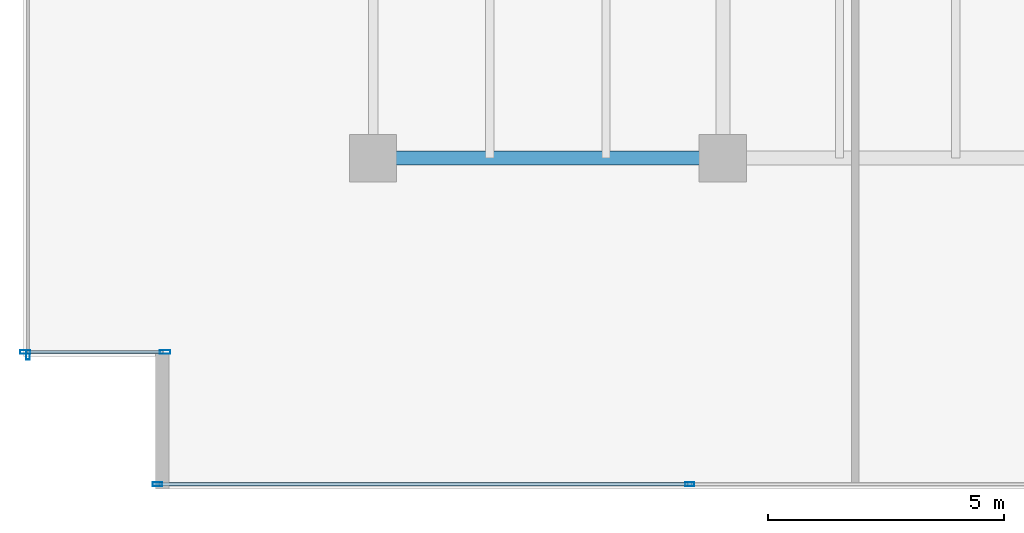
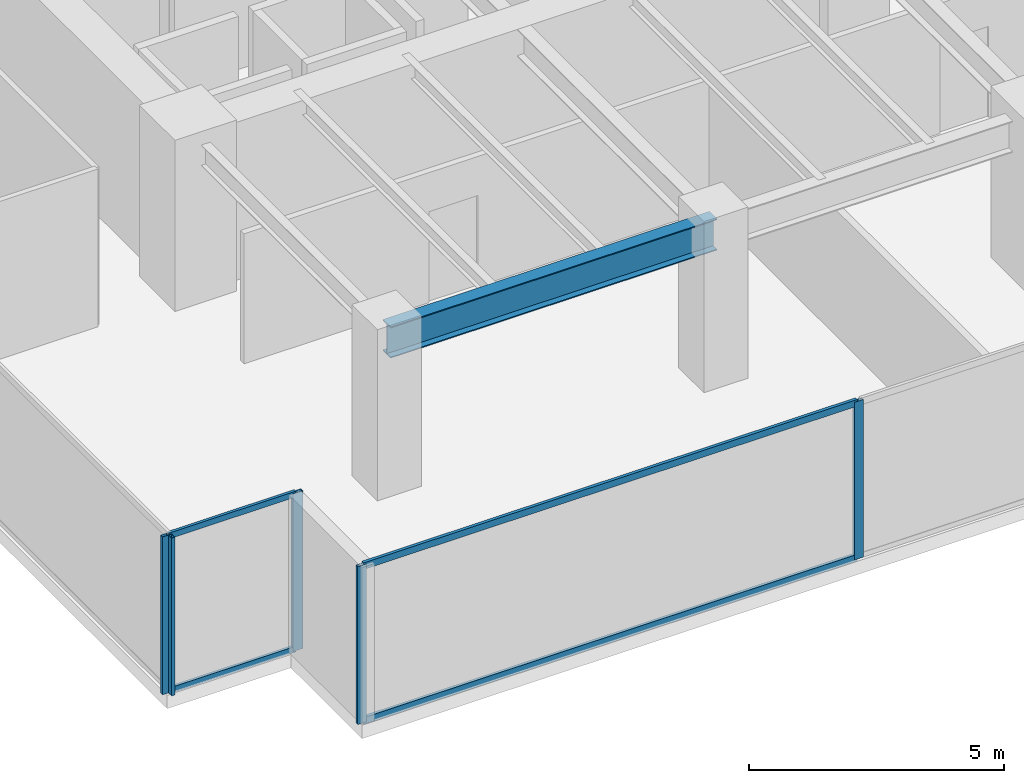
# One storey, part 2 of 35: 9 members, 1 beam, 3 elements without a shape of their own.
"""IFC4 building model written with IfcOpenShell, lengths in metres."""

from ifc_helpers import new_model, si_unit, direction, frame, origin, origin_2d, place, context, subcontext, project, spatial, hollow_rectangle, i_section, extrude, source, transform, mapped, material, layer, layer_set, material_profile, profile_set, type_object, type_shapes, element, aggregate, save


model = new_model("IFC4")

# Units and contexts
model_context = context("Model", 3, precision=1e-05, world=origin(), true_north=direction((0.0, 1.0)))
body_context = subcontext(model_context, "Body", "Model", "MODEL_VIEW")
ifc_project = project(units=[si_unit("LENGTHUNIT", "METRE"), si_unit("AREAUNIT", "SQUARE_METRE"), si_unit("VOLUMEUNIT", "CUBIC_METRE"), si_unit("PLANEANGLEUNIT", "RADIAN"), si_unit("MASSUNIT", "GRAM", prefix="KILO")], contexts=[model_context])

# Site, building, storey
site_placement = place(None, origin())
site = spatial("IfcSite", under=ifc_project, at=site_placement, CompositionType="ELEMENT")
building_placement = place(site_placement, origin())
building = spatial("IfcBuilding", under=site, at=building_placement, Name="Haelvirn Gate Laboratories", CompositionType="ELEMENT")
storey_placement = place(building_placement, frame((0.0, 0.0, 86.699951171875)))
storey = spatial("IfcBuildingStorey", under=building, at=storey_placement, Name="L21", CompositionType="ELEMENT", Elevation=86.699951171875)

# Beam
ifc_material_1 = material(Name="Steel SM355", Category="steel")
ifc_material_profile_1 = material_profile(ifc_material_1, i_section(OverallWidth=0.300048828125, OverallDepth=0.75, WebThickness=0.013916015625, FlangeThickness=0.02392578125, at=origin_2d()), Name="H-750x300x14x24")
ifc_profile_set_1 = profile_set([ifc_material_profile_1], Name="Steel SM355")
beam_type = type_object("IfcBeamType", Name="BM-G-750", PredefinedType="BEAM", material=ifc_profile_set_1)
shared_shape_1 = source(origin(), body_context, "Body", "SweptSolid", [
    extrude(i_section(OverallWidth=0.300048828125, OverallDepth=0.75, WebThickness=0.013916015625, FlangeThickness=0.02392578125, at=origin_2d()), origin(), (0.0, 0.0, 1.0), 7.400146484375),
])
type_shapes(beam_type, [shared_shape_1])
beam_placement = place(storey_placement, frame((7.39990234375, 7.0, 3.405029296875), z_axis=(1.0, 0.0, 0.0), x_axis=(0.0, 1.0, 0.0)))
element("IfcBeam", 1, at=beam_placement, inside=storey, type_object=beam_type, Name="L21 Primary Girder Y7.0 (7.4-14.8)", PredefinedType="BEAM", context=body_context, shape_type="MappedRepresentation", body=[
    mapped(shared_shape_1, transform((0.0, 0.0, 0.0), scale=1.0)),
])

# Curtain wall, members
ifc_material_2 = material(Name="Anodised bronze unitised aluminium & triple low-E glass", Category="aluminium")
ifc_layer_1 = layer(ifc_material_2, 0.18408203125, Name="CW-SYS-2")
ifc_layer_set_1 = layer_set([ifc_layer_1], Name="Anodised bronze unitised aluminium & triple low-E glass")
curtain_wall_type_1 = type_object("IfcCurtainWallType", Name="CW-SYS-2", PredefinedType="NOTDEFINED", material=ifc_layer_set_1)
curtain_wall_1_placement = place(storey_placement, origin())
curtain_wall_1 = element("IfcCurtainWall", 2, at=curtain_wall_1_placement, inside=storey, type_object=curtain_wall_type_1, Name="L21 Unitised Curtain Wall CW-L21-P0-E00-1", PredefinedType="NOTDEFINED")
ifc_material_3 = material(Name="Extruded aluminium 6063-T6 (anodised bronze)", Category="aluminium")
ifc_material_profile_2 = material_profile(ifc_material_3, hollow_rectangle(XDim=0.074951171875, YDim=0.199951171875, WallThickness=0.0048828125, at=origin_2d()), Name="CWM-200x75x5")
ifc_profile_set_2 = profile_set([ifc_material_profile_2], Name="Extruded aluminium 6063-T6 (anodised bronze)")
member_type_1 = type_object("IfcMemberType", Name="CWM-T200", PredefinedType="MULLION", material=ifc_profile_set_2)
shared_shape_2 = source(origin(), body_context, "Body", "SweptSolid", [
    extrude(hollow_rectangle(XDim=0.074951171875, YDim=0.199951171875, WallThickness=0.0048828125, at=origin_2d()), origin(), (0.0, 0.0, 1.0), 3.780029296875),
])
type_shapes(member_type_1, [shared_shape_2])
member_1_placement = place(storey_placement, frame((2.83740234375, 0.10009765625, 0.0), z_axis=(0.0, 0.0, 1.0), x_axis=(0.0, 1.0, 0.0)))
member_1 = element("IfcMember", 3, at=member_1_placement, type_object=member_type_1, Name="CW2 mullion 1", PredefinedType="MULLION", context=body_context, shape_type="MappedRepresentation", body=[
    mapped(shared_shape_2, transform((0.0, 0.0, 0.0), scale=1.0)),
])
member_2_placement = place(storey_placement, frame((14.10009765625, 0.10009765625, 0.0), z_axis=(0.0, 0.0, 1.0), x_axis=(0.0, 1.0, 0.0)))
member_2 = element("IfcMember", 4, at=member_2_placement, type_object=member_type_1, Name="CW2 mullion 2", PredefinedType="MULLION", context=body_context, shape_type="MappedRepresentation", body=[
    mapped(shared_shape_2, transform((0.0, 0.0, 0.0), scale=1.0)),
])

# Curtain wall, member
curtain_wall_2_placement = place(storey_placement, origin())
curtain_wall_2 = element("IfcCurtainWall", 5, at=curtain_wall_2_placement, inside=storey, type_object=curtain_wall_type_1, Name="L21 Unitised Curtain Wall CW-L21-P0-E17", PredefinedType="NOTDEFINED")
member_3_placement = place(storey_placement, frame((0.10009765625, 2.83740234375, 0.0), z_axis=(0.0, 0.0, 1.0), x_axis=(1.0, 0.0, 0.0)))
member_3 = element("IfcMember", 6, at=member_3_placement, type_object=member_type_1, Name="CW2 mullion 4", PredefinedType="MULLION", context=body_context, shape_type="MappedRepresentation", body=[
    mapped(shared_shape_2, transform((0.0, 0.0, 0.0), scale=1.0)),
])
aggregate(curtain_wall_2, [member_3])

# Member
ifc_material_profile_3 = material_profile(ifc_material_3, hollow_rectangle(XDim=0.070068359375, YDim=0.159912109375, WallThickness=0.0048828125, at=origin_2d()), Name="CWT-160x70x5")
ifc_profile_set_3 = profile_set([ifc_material_profile_3], Name="Extruded aluminium 6063-T6 (anodised bronze)")
member_type_2 = type_object("IfcMemberType", Name="CWT-T160", PredefinedType="USERDEFINED", material=ifc_profile_set_3)
shared_shape_3 = source(origin(), body_context, "Body", "SweptSolid", [
    extrude(hollow_rectangle(XDim=0.070068359375, YDim=0.159912109375, WallThickness=0.0048828125, at=origin_2d()), origin(), (0.0, 0.0, 1.0), 11.1875),
])
type_shapes(member_type_2, [shared_shape_3])
member_4_placement = place(storey_placement, frame((2.875, 0.10009765625, 0.03515625), z_axis=(1.0, 0.0, 0.0), x_axis=(0.0, 1.0, 0.0)))
member_4 = element("IfcMember", 7, at=member_4_placement, type_object=member_type_2, Name="CW2 transom 1.1", ObjectType="TRANSOM", PredefinedType="USERDEFINED", context=body_context, shape_type="MappedRepresentation", body=[
    mapped(shared_shape_3, transform((0.0, 0.0, 0.0), scale=1.0)),
])

member_5_placement = place(storey_placement, frame((2.875, 0.10009765625, 3.7451171875), z_axis=(1.0, 0.0, 0.0), x_axis=(0.0, 1.0, 0.0)))
member_5 = element("IfcMember", 8, at=member_5_placement, type_object=member_type_2, Name="CW2 transom 1.2", ObjectType="TRANSOM", PredefinedType="USERDEFINED", context=body_context, shape_type="MappedRepresentation", body=[
    mapped(shared_shape_3, transform((0.0, 0.0, 0.0), scale=1.0)),
])

aggregate(curtain_wall_1, [member_1, member_2, member_4, member_5])

# Curtain wall, members
ifc_layer_2 = layer(ifc_material_2, 0.181884765625, Name="CW-SYS-5")
ifc_layer_set_2 = layer_set([ifc_layer_2], Name="Anodised bronze unitised aluminium & triple low-E glass")
curtain_wall_type_2 = type_object("IfcCurtainWallType", Name="CW-SYS-5", PredefinedType="NOTDEFINED", material=ifc_layer_set_2)
curtain_wall_3_placement = place(storey_placement, origin())
curtain_wall_3 = element("IfcCurtainWall", 9, at=curtain_wall_3_placement, inside=storey, type_object=curtain_wall_type_2, Name="L21 Unitised Curtain Wall CW-L21-P0-E18-1", PredefinedType="NOTDEFINED")
ifc_material_profile_4 = material_profile(ifc_material_3, hollow_rectangle(XDim=0.080078125, YDim=0.219970703125, WallThickness=0.006103515625, at=origin_2d()), Name="CWM-220x80x6")
ifc_profile_set_4 = profile_set([ifc_material_profile_4], Name="Extruded aluminium 6063-T6 (anodised bronze)")
member_type_3 = type_object("IfcMemberType", Name="CWM-T220", PredefinedType="MULLION", material=ifc_profile_set_4)
shared_shape_4 = source(origin(), body_context, "Body", "SweptSolid", [
    extrude(hollow_rectangle(XDim=0.080078125, YDim=0.219970703125, WallThickness=0.006103515625, at=origin_2d()), origin(), (0.0, 0.0, 1.0), 3.780029296875),
])
type_shapes(member_type_3, [shared_shape_4])
member_6_placement = place(storey_placement, frame((0.0400390625, 2.89990234375, 0.0), z_axis=(0.0, 0.0, 1.0), x_axis=(0.0, 1.0, 0.0)))
member_6 = element("IfcMember", 10, at=member_6_placement, type_object=member_type_3, Name="CW5 mullion 1", PredefinedType="MULLION", context=body_context, shape_type="MappedRepresentation", body=[
    mapped(shared_shape_4, transform((0.0, 0.0, 0.0), scale=1.0)),
])
member_7_placement = place(storey_placement, frame((3.0, 2.89990234375, 0.0), z_axis=(0.0, 0.0, 1.0), x_axis=(0.0, 1.0, 0.0)))
member_7 = element("IfcMember", 11, at=member_7_placement, type_object=member_type_3, Name="CW5 mullion 2", PredefinedType="MULLION", context=body_context, shape_type="MappedRepresentation", body=[
    mapped(shared_shape_4, transform((0.0, 0.0, 0.0), scale=1.0)),
])
ifc_material_profile_5 = material_profile(ifc_material_3, hollow_rectangle(XDim=0.06494140625, YDim=0.139892578125, WallThickness=0.00390625, at=origin_2d()), Name="CWT-140x65x4")
ifc_profile_set_5 = profile_set([ifc_material_profile_5], Name="Extruded aluminium 6063-T6 (anodised bronze)")
member_type_4 = type_object("IfcMemberType", Name="CWT-T140", PredefinedType="USERDEFINED", material=ifc_profile_set_5)
shared_shape_5 = source(origin(), body_context, "Body", "SweptSolid", [
    extrude(hollow_rectangle(XDim=0.06494140625, YDim=0.139892578125, WallThickness=0.00390625, at=origin_2d()), origin(), (0.0, 0.0, 1.0), 2.8798828125),
])
type_shapes(member_type_4, [shared_shape_5])
member_8_placement = place(storey_placement, frame((0.080078125, 2.89990234375, 0.032470703125), z_axis=(1.0, 0.0, 0.0), x_axis=(0.0, 1.0, 0.0)))
member_8 = element("IfcMember", 12, at=member_8_placement, type_object=member_type_4, Name="CW5 transom 1.1", ObjectType="TRANSOM", PredefinedType="USERDEFINED", context=body_context, shape_type="MappedRepresentation", body=[
    mapped(shared_shape_5, transform((0.0, 0.0, 0.0), scale=1.0)),
])
member_9_placement = place(storey_placement, frame((0.080078125, 2.89990234375, 3.74755859375), z_axis=(1.0, 0.0, 0.0), x_axis=(0.0, 1.0, 0.0)))
member_9 = element("IfcMember", 13, at=member_9_placement, type_object=member_type_4, Name="CW5 transom 1.2", ObjectType="TRANSOM", PredefinedType="USERDEFINED", context=body_context, shape_type="MappedRepresentation", body=[
    mapped(shared_shape_5, transform((0.0, 0.0, 0.0), scale=1.0)),
])
aggregate(curtain_wall_3, [member_6, member_7, member_8, member_9])

save(model, "model.ifc")
